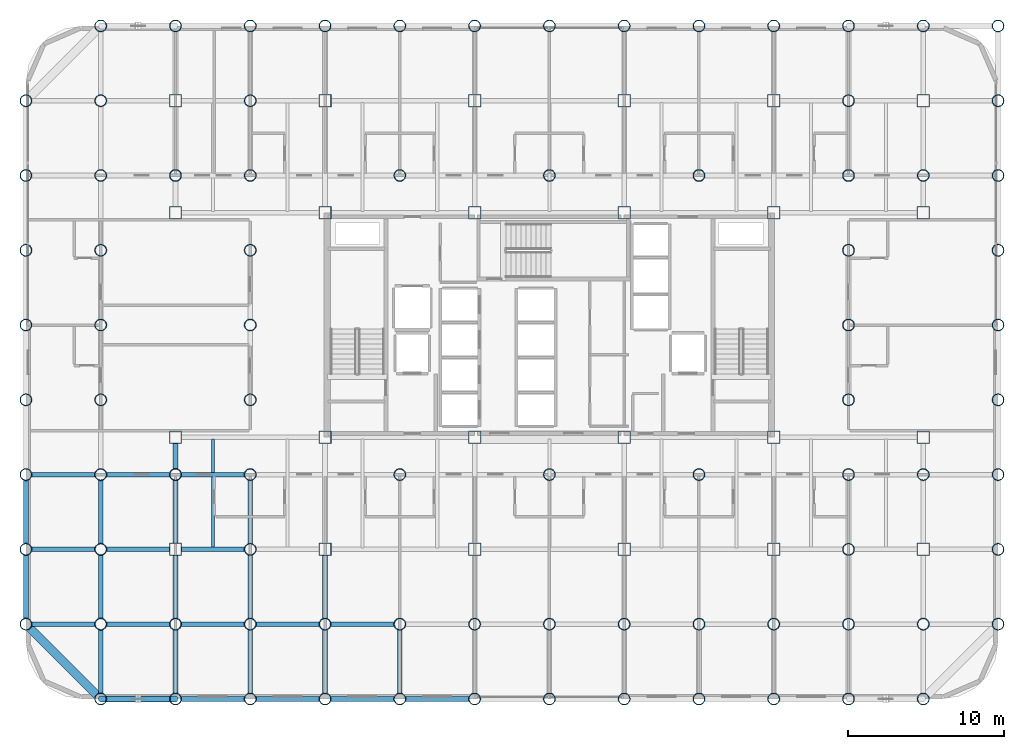
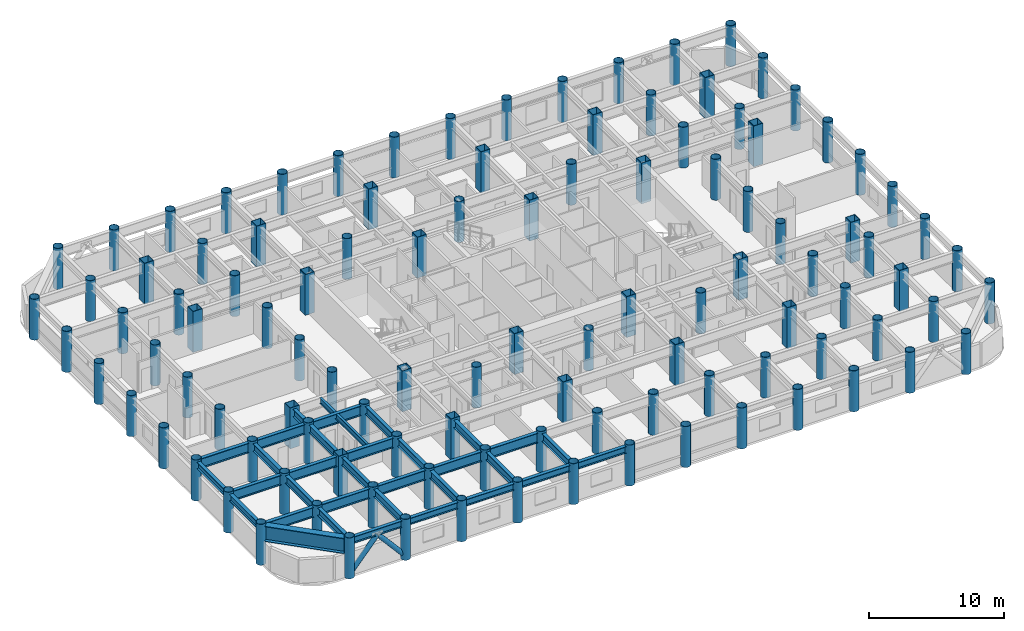
# One storey, part 1 of 22: 108 columns, 33 beams, 2 members.
"""IFC4 building model written with IfcOpenShell, lengths in metres."""

from ifc_helpers import new_model, si_unit, direction, frame, origin, origin_2d, place, context, subcontext, project, spatial, hollow_rectangle, hollow_circle, i_section, extrude, material, material_profile, profile_set, type_object, element, save


model = new_model("IFC4")

# Units and contexts
model_context = context("Model", 3, precision=1e-05, world=origin(), true_north=direction((0.0, 1.0)))
body_context = subcontext(model_context, "Body", "Model", "MODEL_VIEW")
ifc_project = project(units=[si_unit("LENGTHUNIT", "METRE"), si_unit("AREAUNIT", "SQUARE_METRE"), si_unit("VOLUMEUNIT", "CUBIC_METRE"), si_unit("PLANEANGLEUNIT", "RADIAN"), si_unit("MASSUNIT", "GRAM", prefix="KILO")], contexts=[model_context])

# Site, building, storey
site_placement = place(None, origin())
site = spatial("IfcSite", under=ifc_project, at=site_placement, CompositionType="ELEMENT")
building_placement = place(site_placement, origin())
building = spatial("IfcBuilding", under=site, at=building_placement, Name="Kallvorn Hotel Tower", CompositionType="ELEMENT")
storey_placement = place(building_placement, frame((0.0, 0.0, 37.39990234375)))
storey = spatial("IfcBuildingStorey", under=building, at=storey_placement, Name="L07", CompositionType="ELEMENT", Elevation=37.39990234375)

# Columns
ifc_material_1 = material(Name="Structural steel S355J2H", Category="steel")
ifc_material_profile_1 = material_profile(ifc_material_1, hollow_circle(Radius=0.381103515625, WallThickness=0.031982421875, at=origin_2d()), Name="CHS 762x32")
ifc_profile_set_1 = profile_set([ifc_material_profile_1], Name="Structural steel S355J2H")
column_type_1 = type_object("IfcColumnType", Name="COL_CHS_762", PredefinedType="COLUMN", material=ifc_profile_set_1)
for number, where, z_axis, x_axis, name in (
    (1, (-33.60009765625, -19.199951171875, 0.0), (0.0, 0.0, 1.0), (1.0, 0.0, 0.0), "L07 Exoskeleton Column EC01"),
    (2, (-33.60009765625, -14.39990234375, 0.0), (0.0, 0.0, 1.0), (1.0, 0.0, 0.0), "L07 Exoskeleton Column EC02"),
    (3, (-33.60009765625, -9.60009765625, 0.0), (0.0, 0.0, 1.0), (1.0, 0.0, 0.0), "L07 Exoskeleton Column EC03"),
    (4, (-33.60009765625, -4.800048828125, 0.0), (0.0, 0.0, 1.0), (1.0, 0.0, 0.0), "L07 Exoskeleton Column EC04"),
    (5, (-33.60009765625, 0.0, 0.0), (0.0, 0.0, 1.0), (1.0, 0.0, 0.0), "L07 Exoskeleton Column EC05"),
    (6, (-33.60009765625, 4.800048828125, 0.0), (0.0, 0.0, 1.0), (1.0, 0.0, 0.0), "L07 Exoskeleton Column EC06"),
    (7, (-33.60009765625, 9.60009765625, 0.0), (0.0, 0.0, 1.0), (1.0, 0.0, 0.0), "L07 Exoskeleton Column EC07"),
    (8, (-33.60009765625, 14.39990234375, 0.0), (0.0, 0.0, 1.0), (1.0, 0.0, 0.0), "L07 Exoskeleton Column EC08"),
    (9, (-28.800048828125, -24.0, 0.0), (0.0, 0.0, 1.0), (1.0, 0.0, 0.0), "L07 Exoskeleton Column EC09"),
    (10, (-28.800048828125, -19.199951171875, 0.0), (0.0, 0.0, 1.0), (1.0, 0.0, 0.0), "L07 Exoskeleton Column EC10"),
    (11, (-28.800048828125, -14.39990234375, 0.0), (0.0, 0.0, 1.0), (1.0, 0.0, 0.0), "L07 Exoskeleton Column EC11"),
    (12, (-28.800048828125, -9.60009765625, 0.0), (0.0, 0.0, 1.0), (1.0, 0.0, 0.0), "L07 Exoskeleton Column EC12"),
    (13, (-28.800048828125, -4.800048828125, 0.0), (0.0, 0.0, 1.0), (1.0, 0.0, 0.0), "L07 Exoskeleton Column EC13"),
    (14, (-28.800048828125, 0.0, 0.0), (0.0, 0.0, 1.0), (1.0, 0.0, 0.0), "L07 Exoskeleton Column EC14"),
    (15, (-28.800048828125, 4.800048828125, 0.0), (0.0, 0.0, 1.0), (1.0, 0.0, 0.0), "L07 Exoskeleton Column EC15"),
    (16, (-28.800048828125, 9.60009765625, 0.0), (0.0, 0.0, 1.0), (1.0, 0.0, 0.0), "L07 Exoskeleton Column EC16"),
    (17, (-28.800048828125, 14.39990234375, 0.0), (0.0, 0.0, 1.0), (1.0, 0.0, 0.0), "L07 Exoskeleton Column EC17"),
    (18, (-28.800048828125, 19.199951171875, 0.0), (0.0, 0.0, 1.0), (1.0, 0.0, 0.0), "L07 Exoskeleton Column EC18"),
    (19, (-24.0, -24.0, 0.0), (0.0, 0.0, 1.0), (1.0, 0.0, 0.0), "L07 Exoskeleton Column EC19"),
    (20, (-24.0, -19.199951171875, 0.0), (0.0, 0.0, 1.0), (1.0, 0.0, 0.0), "L07 Exoskeleton Column EC20"),
    (21, (-24.0, -9.60009765625, 0.0), (0.0, 0.0, 1.0), (1.0, 0.0, 0.0), "L07 Exoskeleton Column EC21"),
    (22, (-24.0, 9.60009765625, 0.0), (0.0, 0.0, 1.0), (1.0, 0.0, 0.0), "L07 Exoskeleton Column EC22"),
    (23, (-24.0, 19.199951171875, 0.0), (0.0, 0.0, 1.0), (1.0, 0.0, 0.0), "L07 Exoskeleton Column EC23"),
    (24, (-19.199951171875, -24.0, 0.0), (0.0, 0.0, 1.0), (1.0, 0.0, 0.0), "L07 Exoskeleton Column EC24"),
    (25, (-19.199951171875, -19.199951171875, 0.0), (0.0, 0.0, 1.0), (1.0, 0.0, 0.0), "L07 Exoskeleton Column EC25"),
    (26, (-19.199951171875, -14.39990234375, 0.0), (0.0, 0.0, 1.0), (1.0, 0.0, 0.0), "L07 Exoskeleton Column EC26"),
    (27, (-19.199951171875, -9.60009765625, 0.0), (0.0, 0.0, 1.0), (1.0, 0.0, 0.0), "L07 Exoskeleton Column EC27"),
    (28, (-19.199951171875, -4.800048828125, 0.0), (0.0, 0.0, 1.0), (1.0, 0.0, 0.0), "L07 Exoskeleton Column EC28"),
    (29, (-19.199951171875, 0.0, 0.0), (0.0, 0.0, 1.0), (1.0, 0.0, 0.0), "L07 Exoskeleton Column EC29"),
    (30, (-19.199951171875, 4.800048828125, 0.0), (0.0, 0.0, 1.0), (1.0, 0.0, 0.0), "L07 Exoskeleton Column EC30"),
    (31, (-19.199951171875, 9.60009765625, 0.0), (0.0, 0.0, 1.0), (1.0, 0.0, 0.0), "L07 Exoskeleton Column EC31"),
    (32, (-19.199951171875, 14.39990234375, 0.0), (0.0, 0.0, 1.0), (1.0, 0.0, 0.0), "L07 Exoskeleton Column EC32"),
    (33, (-19.199951171875, 19.199951171875, 0.0), (0.0, 0.0, 1.0), (1.0, 0.0, 0.0), "L07 Exoskeleton Column EC33"),
    (34, (-14.39990234375, -24.0, 0.0), (0.0, 0.0, 1.0), (1.0, 0.0, 0.0), "L07 Exoskeleton Column EC34"),
    (35, (-14.39990234375, -19.199951171875, 0.0), (0.0, 0.0, 1.0), (1.0, 0.0, 0.0), "L07 Exoskeleton Column EC35"),
    (36, (-14.39990234375, 19.199951171875, 0.0), (0.0, 0.0, 1.0), (1.0, 0.0, 0.0), "L07 Exoskeleton Column EC36"),
    (37, (-9.60009765625, -24.0, 0.0), (0.0, 0.0, 1.0), (1.0, 0.0, 0.0), "L07 Exoskeleton Column EC37"),
    (38, (-9.60009765625, -19.199951171875, 0.0), (0.0, 0.0, 1.0), (1.0, 0.0, 0.0), "L07 Exoskeleton Column EC38"),
    (39, (-9.60009765625, -9.60009765625, 0.0), (0.0, 0.0, 1.0), (1.0, 0.0, 0.0), "L07 Exoskeleton Column EC39"),
    (40, (-9.60009765625, 9.60009765625, 0.0), (0.0, 0.0, 1.0), (1.0, 0.0, 0.0), "L07 Exoskeleton Column EC40"),
    (41, (-9.60009765625, 19.199951171875, 0.0), (0.0, 0.0, 1.0), (1.0, 0.0, 0.0), "L07 Exoskeleton Column EC41"),
    (42, (-4.800048828125, -24.0, 0.0), (0.0, 0.0, 1.0), (1.0, 0.0, 0.0), "L07 Exoskeleton Column EC42"),
    (43, (-4.800048828125, -19.199951171875, 0.0), (0.0, 0.0, 1.0), (1.0, 0.0, 0.0), "L07 Exoskeleton Column EC43"),
    (44, (-4.800048828125, 19.199951171875, 0.0), (0.0, 0.0, 1.0), (1.0, 0.0, 0.0), "L07 Exoskeleton Column EC44"),
    (45, (0.0, -24.0, 0.0), (0.0, 0.0, 1.0), (1.0, 0.0, 0.0), "L07 Exoskeleton Column EC45"),
    (46, (0.0, -19.199951171875, 0.0), (0.0, 0.0, 1.0), (1.0, 0.0, 0.0), "L07 Exoskeleton Column EC46"),
    (47, (0.0, -9.60009765625, 0.0), (0.0, 0.0, 1.0), (1.0, 0.0, 0.0), "L07 Exoskeleton Column EC47"),
    (48, (0.0, 9.60009765625, 0.0), (0.0, 0.0, 1.0), (1.0, 0.0, 0.0), "L07 Exoskeleton Column EC48"),
    (49, (0.0, 19.199951171875, 0.0), (0.0, 0.0, 1.0), (1.0, 0.0, 0.0), "L07 Exoskeleton Column EC49"),
    (50, (4.800048828125, -24.0, 0.0), (0.0, 0.0, 1.0), (1.0, 0.0, 0.0), "L07 Exoskeleton Column EC50"),
    (51, (4.800048828125, -19.199951171875, 0.0), (0.0, 0.0, 1.0), (1.0, 0.0, 0.0), "L07 Exoskeleton Column EC51"),
    (52, (4.800048828125, 19.199951171875, 0.0), (0.0, 0.0, 1.0), (1.0, 0.0, 0.0), "L07 Exoskeleton Column EC52"),
    (53, (9.60009765625, -24.0, 0.0), (0.0, 0.0, 1.0), (1.0, 0.0, 0.0), "L07 Exoskeleton Column EC53"),
    (54, (9.60009765625, -19.199951171875, 0.0), (0.0, 0.0, 1.0), (1.0, 0.0, 0.0), "L07 Exoskeleton Column EC54"),
    (55, (9.60009765625, -9.60009765625, 0.0), (0.0, 0.0, 1.0), (1.0, 0.0, 0.0), "L07 Exoskeleton Column EC55"),
    (56, (9.60009765625, 9.60009765625, 0.0), (0.0, 0.0, 1.0), (1.0, 0.0, 0.0), "L07 Exoskeleton Column EC56"),
    (57, (9.60009765625, 19.199951171875, 0.0), (0.0, 0.0, 1.0), (1.0, 0.0, 0.0), "L07 Exoskeleton Column EC57"),
    (58, (14.39990234375, -24.0, 0.0), (0.0, 0.0, 1.0), (1.0, 0.0, 0.0), "L07 Exoskeleton Column EC58"),
    (59, (14.39990234375, -19.199951171875, 0.0), (0.0, 0.0, 1.0), (1.0, 0.0, 0.0), "L07 Exoskeleton Column EC59"),
    (60, (14.39990234375, 19.199951171875, 0.0), (0.0, 0.0, 1.0), (1.0, 0.0, 0.0), "L07 Exoskeleton Column EC60"),
    (61, (19.199951171875, -24.0, 0.0), (0.0, 0.0, 1.0), (1.0, 0.0, 0.0), "L07 Exoskeleton Column EC61"),
    (62, (19.199951171875, -19.199951171875, 0.0), (0.0, 0.0, 1.0), (1.0, 0.0, 0.0), "L07 Exoskeleton Column EC62"),
    (63, (19.199951171875, -14.39990234375, 0.0), (0.0, 0.0, 1.0), (1.0, 0.0, 0.0), "L07 Exoskeleton Column EC63"),
    (64, (19.199951171875, -9.60009765625, 0.0), (0.0, 0.0, 1.0), (1.0, 0.0, 0.0), "L07 Exoskeleton Column EC64"),
    (65, (19.199951171875, -4.800048828125, 0.0), (0.0, 0.0, 1.0), (1.0, 0.0, 0.0), "L07 Exoskeleton Column EC65"),
    (66, (19.199951171875, 0.0, 0.0), (0.0, 0.0, 1.0), (1.0, 0.0, 0.0), "L07 Exoskeleton Column EC66"),
    (67, (19.199951171875, 4.800048828125, 0.0), (0.0, 0.0, 1.0), (1.0, 0.0, 0.0), "L07 Exoskeleton Column EC67"),
    (68, (19.199951171875, 9.60009765625, 0.0), (0.0, 0.0, 1.0), (1.0, 0.0, 0.0), "L07 Exoskeleton Column EC68"),
    (69, (19.199951171875, 14.39990234375, 0.0), (0.0, 0.0, 1.0), (1.0, 0.0, 0.0), "L07 Exoskeleton Column EC69"),
    (70, (19.199951171875, 19.199951171875, 0.0), (0.0, 0.0, 1.0), (1.0, 0.0, 0.0), "L07 Exoskeleton Column EC70"),
    (71, (24.0, -24.0, 0.0), (0.0, 0.0, 1.0), (1.0, 0.0, 0.0), "L07 Exoskeleton Column EC71"),
    (72, (24.0, -19.199951171875, 0.0), (0.0, 0.0, 1.0), (1.0, 0.0, 0.0), "L07 Exoskeleton Column EC72"),
    (73, (24.0, -9.60009765625, 0.0), (0.0, 0.0, 1.0), (1.0, 0.0, 0.0), "L07 Exoskeleton Column EC73"),
    (74, (24.0, 9.60009765625, 0.0), (0.0, 0.0, 1.0), (1.0, 0.0, 0.0), "L07 Exoskeleton Column EC74"),
    (75, (24.0, 19.199951171875, 0.0), (0.0, 0.0, 1.0), (1.0, 0.0, 0.0), "L07 Exoskeleton Column EC75"),
    (76, (28.800048828125, -19.199951171875, 0.0), (0.0, 0.0, 1.0), (1.0, 0.0, 0.0), "L07 Exoskeleton Column EC76"),
    (77, (28.800048828125, -14.39990234375, 0.0), (0.0, 0.0, 1.0), (1.0, 0.0, 0.0), "L07 Exoskeleton Column EC77"),
    (78, (28.800048828125, -9.60009765625, 0.0), (0.0, 0.0, 1.0), (1.0, 0.0, 0.0), "L07 Exoskeleton Column EC78"),
    (79, (28.800048828125, -4.800048828125, 0.0), (0.0, 0.0, 1.0), (1.0, 0.0, 0.0), "L07 Exoskeleton Column EC79"),
    (80, (28.800048828125, 0.0, 0.0), (0.0, 0.0, 1.0), (1.0, 0.0, 0.0), "L07 Exoskeleton Column EC80"),
    (81, (28.800048828125, 4.800048828125, 0.0), (0.0, 0.0, 1.0), (1.0, 0.0, 0.0), "L07 Exoskeleton Column EC81"),
    (82, (28.800048828125, 9.60009765625, 0.0), (0.0, 0.0, 1.0), (1.0, 0.0, 0.0), "L07 Exoskeleton Column EC82"),
    (83, (28.800048828125, 14.39990234375, 0.0), (0.0, 0.0, 1.0), (1.0, 0.0, 0.0), "L07 Exoskeleton Column EC83"),
    (84, (28.800048828125, 19.199951171875, 0.0), (0.0, 0.0, 1.0), (1.0, 0.0, 0.0), "L07 Exoskeleton Column EC84"),
):
    element("IfcColumn", number, at=place(storey_placement, frame(where, z_axis=z_axis, x_axis=x_axis)), inside=storey, type_object=column_type_1, Name=name, PredefinedType="COLUMN", context=body_context, shape_type="SweptSolid", body=[
        extrude(hollow_circle(Radius=0.381103515625, WallThickness=0.031982421875, at=origin_2d()), origin(), (0.0, 0.0, 1.0), 3.7001953125),
    ])
ifc_material_2 = material(Name="Structural steel S355J2H", Category="steel")
ifc_material_profile_2 = material_profile(ifc_material_2, hollow_rectangle(XDim=0.800048828125, YDim=0.800048828125, WallThickness=0.035888671875, at=origin_2d()), Name="RHS 800x800x36")
ifc_profile_set_2 = profile_set([ifc_material_profile_2], Name="Structural steel S355J2H")
column_type_2 = type_object("IfcColumnType", Name="COL_RHS_800", PredefinedType="COLUMN", material=ifc_profile_set_2)
for number, where, z_axis, x_axis, name in (
    (85, (-24.0, -14.39990234375, 0.0), (0.0, 0.0, 1.0), (1.0, 0.0, 0.0), "L07 Inner Column IC01"),
    (86, (-24.0, -7.199951171875, 0.0), (0.0, 0.0, 1.0), (1.0, 0.0, 0.0), "L07 Inner Column IC02"),
    (87, (-24.0, 7.199951171875, 0.0), (0.0, 0.0, 1.0), (1.0, 0.0, 0.0), "L07 Inner Column IC03"),
    (88, (-24.0, 14.39990234375, 0.0), (0.0, 0.0, 1.0), (1.0, 0.0, 0.0), "L07 Inner Column IC04"),
    (89, (-14.39990234375, -14.39990234375, 0.0), (0.0, 0.0, 1.0), (1.0, 0.0, 0.0), "L07 Inner Column IC05"),
    (90, (-14.39990234375, -7.199951171875, 0.0), (0.0, 0.0, 1.0), (1.0, 0.0, 0.0), "L07 Inner Column IC06"),
    (91, (-14.39990234375, 7.199951171875, 0.0), (0.0, 0.0, 1.0), (1.0, 0.0, 0.0), "L07 Inner Column IC07"),
    (92, (-14.39990234375, 14.39990234375, 0.0), (0.0, 0.0, 1.0), (1.0, 0.0, 0.0), "L07 Inner Column IC08"),
    (93, (-4.800048828125, -14.39990234375, 0.0), (0.0, 0.0, 1.0), (1.0, 0.0, 0.0), "L07 Inner Column IC09"),
    (94, (-4.800048828125, -7.199951171875, 0.0), (0.0, 0.0, 1.0), (1.0, 0.0, 0.0), "L07 Inner Column IC10"),
    (95, (-4.800048828125, 7.199951171875, 0.0), (0.0, 0.0, 1.0), (1.0, 0.0, 0.0), "L07 Inner Column IC11"),
    (96, (-4.800048828125, 14.39990234375, 0.0), (0.0, 0.0, 1.0), (1.0, 0.0, 0.0), "L07 Inner Column IC12"),
    (97, (4.800048828125, -14.39990234375, 0.0), (0.0, 0.0, 1.0), (1.0, 0.0, 0.0), "L07 Inner Column IC13"),
    (98, (4.800048828125, -7.199951171875, 0.0), (0.0, 0.0, 1.0), (1.0, 0.0, 0.0), "L07 Inner Column IC14"),
    (99, (4.800048828125, 7.199951171875, 0.0), (0.0, 0.0, 1.0), (1.0, 0.0, 0.0), "L07 Inner Column IC15"),
    (100, (4.800048828125, 14.39990234375, 0.0), (0.0, 0.0, 1.0), (1.0, 0.0, 0.0), "L07 Inner Column IC16"),
    (101, (14.39990234375, -14.39990234375, 0.0), (0.0, 0.0, 1.0), (1.0, 0.0, 0.0), "L07 Inner Column IC17"),
    (102, (14.39990234375, -7.199951171875, 0.0), (0.0, 0.0, 1.0), (1.0, 0.0, 0.0), "L07 Inner Column IC18"),
    (103, (14.39990234375, 7.199951171875, 0.0), (0.0, 0.0, 1.0), (1.0, 0.0, 0.0), "L07 Inner Column IC19"),
    (104, (14.39990234375, 14.39990234375, 0.0), (0.0, 0.0, 1.0), (1.0, 0.0, 0.0), "L07 Inner Column IC20"),
    (105, (24.0, -14.39990234375, 0.0), (0.0, 0.0, 1.0), (1.0, 0.0, 0.0), "L07 Inner Column IC21"),
    (106, (24.0, -7.199951171875, 0.0), (0.0, 0.0, 1.0), (1.0, 0.0, 0.0), "L07 Inner Column IC22"),
    (107, (24.0, 7.199951171875, 0.0), (0.0, 0.0, 1.0), (1.0, 0.0, 0.0), "L07 Inner Column IC23"),
    (108, (24.0, 14.39990234375, 0.0), (0.0, 0.0, 1.0), (1.0, 0.0, 0.0), "L07 Inner Column IC24"),
):
    element("IfcColumn", number, at=place(storey_placement, frame(where, z_axis=z_axis, x_axis=x_axis)), inside=storey, type_object=column_type_2, Name=name, PredefinedType="COLUMN", context=body_context, shape_type="SweptSolid", body=[
        extrude(hollow_rectangle(XDim=0.800048828125, YDim=0.800048828125, WallThickness=0.035888671875, at=origin_2d()), origin(), (0.0, 0.0, 1.0), 3.7001953125),
    ])

# Beams
ifc_material_3 = material(Name="Structural steel S355JR", Category="steel")
ifc_material_profile_3 = material_profile(ifc_material_3, i_section(OverallWidth=0.300048828125, OverallDepth=0.60009765625, WebThickness=0.015380859375, FlangeThickness=0.030029296875, at=origin_2d()), Name="HE 600 B")
ifc_profile_set_3 = profile_set([ifc_material_profile_3], Name="Structural steel S355JR")
beam_type_1 = type_object("IfcBeamType", Name="BM_HE600B", PredefinedType="SPANDREL", material=ifc_profile_set_3)
for number, where, z_axis, x_axis, name in (
    (109, (-28.428955078125, -24.0, 3.22021484375), (1.0, 0.0, 0.0), (0.0, 1.0, 0.0), "L08 Perimeter Spandrel 151"),
    (110, (-23.62890625, -24.0, 3.22021484375), (1.0, 0.0, 0.0), (0.0, 1.0, 0.0), "L08 Perimeter Spandrel 152"),
):
    element("IfcBeam", number, at=place(storey_placement, frame(where, z_axis=z_axis, x_axis=x_axis)), inside=storey, type_object=beam_type_1, Name=name, PredefinedType="SPANDREL", context=body_context, shape_type="SweptSolid", body=[
        extrude(i_section(OverallWidth=0.300048828125, OverallDepth=0.60009765625, WebThickness=0.015380859375, FlangeThickness=0.030029296875, at=origin_2d()), origin(), (0.0, 0.0, 1.0), 4.057861328125),
    ])
for number, where, z_axis, x_axis, name in (
    (111, (-18.8291015625, -24.0, 3.22021484375), (1.0, 0.0, 0.0), (0.0, 1.0, 0.0), "L08 Perimeter Spandrel 153"),
    (112, (-14.029052734375, -24.0, 3.22021484375), (1.0, 0.0, 0.0), (0.0, 1.0, 0.0), "L08 Perimeter Spandrel 154"),
    (113, (-9.22900390625, -24.0, 3.22021484375), (1.0, 0.0, 0.0), (0.0, 1.0, 0.0), "L08 Perimeter Spandrel 155"),
    (114, (-33.60009765625, -18.8291015625, 3.22021484375), (0.0, 1.0, 0.0), (-1.0, 0.0, 0.0), "L08 Perimeter Spandrel 174"),
    (115, (-33.60009765625, -14.029052734375, 3.22021484375), (0.0, 1.0, 0.0), (-1.0, 0.0, 0.0), "L08 Perimeter Spandrel 175"),
):
    element("IfcBeam", number, at=place(storey_placement, frame(where, z_axis=z_axis, x_axis=x_axis)), inside=storey, type_object=beam_type_1, Name=name, PredefinedType="SPANDREL", context=body_context, shape_type="SweptSolid", body=[
        extrude(i_section(OverallWidth=0.300048828125, OverallDepth=0.60009765625, WebThickness=0.015380859375, FlangeThickness=0.030029296875, at=origin_2d()), origin(), (0.0, 0.0, 1.0), 4.05810546875),
    ])
ifc_material_4 = material(Name="Structural steel S355JR", Category="steel")
ifc_material_profile_4 = material_profile(ifc_material_4, i_section(OverallWidth=0.300048828125, OverallDepth=0.699951171875, WebThickness=0.01708984375, FlangeThickness=0.031982421875, at=origin_2d()), Name="HE 700 B")
ifc_profile_set_4 = profile_set([ifc_material_profile_4], Name="Structural steel S355JR")
beam_type_2 = type_object("IfcBeamType", Name="BM_HE700B", PredefinedType="BEAM", material=ifc_profile_set_4)
beam_1_placement = place(storey_placement, frame((-28.800048828125, -23.64404296875, 3.170166015625), z_axis=(0.0, 1.0, 0.0), x_axis=(-1.0, 0.0, 0.0)))
element("IfcBeam", 116, at=beam_1_placement, inside=storey, type_object=beam_type_2, Name="L08 Primary Y-Girder 73", PredefinedType="BEAM", context=body_context, shape_type="SweptSolid", body=[
    extrude(i_section(OverallWidth=0.300048828125, OverallDepth=0.699951171875, WebThickness=0.01708984375, FlangeThickness=0.031982421875, at=origin_2d()), origin(), (0.0, 0.0, 1.0), 4.088134765625),
])
for number, where, z_axis, x_axis, name in (
    (117, (-28.800048828125, -18.843994140625, 3.170166015625), (0.0, 1.0, 0.0), (-1.0, 0.0, 0.0), "L08 Primary Y-Girder 74"),
    (118, (-28.800048828125, -14.0439453125, 3.170166015625), (0.0, 1.0, 0.0), (-1.0, 0.0, 0.0), "L08 Primary Y-Girder 75"),
):
    element("IfcBeam", number, at=place(storey_placement, frame(where, z_axis=z_axis, x_axis=x_axis)), inside=storey, type_object=beam_type_2, Name=name, PredefinedType="BEAM", context=body_context, shape_type="SweptSolid", body=[
        extrude(i_section(OverallWidth=0.300048828125, OverallDepth=0.699951171875, WebThickness=0.01708984375, FlangeThickness=0.031982421875, at=origin_2d()), origin(), (0.0, 0.0, 1.0), 4.087890625),
    ])
beam_2_placement = place(storey_placement, frame((-24.0, -23.64404296875, 3.170166015625), z_axis=(0.0, 1.0, 0.0), x_axis=(-1.0, 0.0, 0.0)))
element("IfcBeam", 119, at=beam_2_placement, inside=storey, type_object=beam_type_2, Name="L08 Primary Y-Girder 82", PredefinedType="BEAM", context=body_context, shape_type="SweptSolid", body=[
    extrude(i_section(OverallWidth=0.300048828125, OverallDepth=0.699951171875, WebThickness=0.01708984375, FlangeThickness=0.031982421875, at=origin_2d()), origin(), (0.0, 0.0, 1.0), 4.088134765625),
])
beam_3_placement = place(storey_placement, frame((-24.0, -18.843994140625, 3.170166015625), z_axis=(0.0, 1.0, 0.0), x_axis=(-1.0, 0.0, 0.0)))
element("IfcBeam", 120, at=beam_3_placement, inside=storey, type_object=beam_type_2, Name="L08 Primary Y-Girder 83", PredefinedType="BEAM", context=body_context, shape_type="SweptSolid", body=[
    extrude(i_section(OverallWidth=0.300048828125, OverallDepth=0.699951171875, WebThickness=0.01708984375, FlangeThickness=0.031982421875, at=origin_2d()), origin(), (0.0, 0.0, 1.0), 4.069091796875),
])
beam_4_placement = place(storey_placement, frame((-24.0, -14.02490234375, 3.170166015625), z_axis=(0.0, 1.0, 0.0), x_axis=(-1.0, 0.0, 0.0)))
element("IfcBeam", 121, at=beam_4_placement, inside=storey, type_object=beam_type_2, Name="L08 Primary Y-Girder 84", PredefinedType="BEAM", context=body_context, shape_type="SweptSolid", body=[
    extrude(i_section(OverallWidth=0.300048828125, OverallDepth=0.699951171875, WebThickness=0.01708984375, FlangeThickness=0.031982421875, at=origin_2d()), origin(), (0.0, 0.0, 1.0), 4.06884765625),
])
beam_5_placement = place(storey_placement, frame((-24.0, -9.243896484375, 3.170166015625), z_axis=(0.0, 1.0, 0.0), x_axis=(-1.0, 0.0, 0.0)))
element("IfcBeam", 122, at=beam_5_placement, inside=storey, type_object=beam_type_2, Name="L08 Primary Y-Girder 85", PredefinedType="BEAM", context=body_context, shape_type="SweptSolid", body=[
    extrude(i_section(OverallWidth=0.300048828125, OverallDepth=0.699951171875, WebThickness=0.01708984375, FlangeThickness=0.031982421875, at=origin_2d()), origin(), (0.0, 0.0, 1.0), 1.6689453125),
])
beam_6_placement = place(storey_placement, frame((-19.199951171875, -23.64404296875, 3.170166015625), z_axis=(0.0, 1.0, 0.0), x_axis=(-1.0, 0.0, 0.0)))
element("IfcBeam", 123, at=beam_6_placement, inside=storey, type_object=beam_type_2, Name="L08 Primary Y-Girder 89", PredefinedType="BEAM", context=body_context, shape_type="SweptSolid", body=[
    extrude(i_section(OverallWidth=0.300048828125, OverallDepth=0.699951171875, WebThickness=0.01708984375, FlangeThickness=0.031982421875, at=origin_2d()), origin(), (0.0, 0.0, 1.0), 4.088134765625),
])
for number, where, z_axis, x_axis, name in (
    (124, (-19.199951171875, -18.843994140625, 3.170166015625), (0.0, 1.0, 0.0), (-1.0, 0.0, 0.0), "L08 Primary Y-Girder 90"),
    (125, (-19.199951171875, -14.0439453125, 3.170166015625), (0.0, 1.0, 0.0), (-1.0, 0.0, 0.0), "L08 Primary Y-Girder 91"),
):
    element("IfcBeam", number, at=place(storey_placement, frame(where, z_axis=z_axis, x_axis=x_axis)), inside=storey, type_object=beam_type_2, Name=name, PredefinedType="BEAM", context=body_context, shape_type="SweptSolid", body=[
        extrude(i_section(OverallWidth=0.300048828125, OverallDepth=0.699951171875, WebThickness=0.01708984375, FlangeThickness=0.031982421875, at=origin_2d()), origin(), (0.0, 0.0, 1.0), 4.087890625),
    ])
beam_7_placement = place(storey_placement, frame((-14.39990234375, -23.64404296875, 3.170166015625), z_axis=(0.0, 1.0, 0.0), x_axis=(-1.0, 0.0, 0.0)))
element("IfcBeam", 126, at=beam_7_placement, inside=storey, type_object=beam_type_2, Name="L08 Primary Y-Girder 98", PredefinedType="BEAM", context=body_context, shape_type="SweptSolid", body=[
    extrude(i_section(OverallWidth=0.300048828125, OverallDepth=0.699951171875, WebThickness=0.01708984375, FlangeThickness=0.031982421875, at=origin_2d()), origin(), (0.0, 0.0, 1.0), 4.088134765625),
])
beam_8_placement = place(storey_placement, frame((-14.39990234375, -18.843994140625, 3.170166015625), z_axis=(0.0, 1.0, 0.0), x_axis=(-1.0, 0.0, 0.0)))
element("IfcBeam", 127, at=beam_8_placement, inside=storey, type_object=beam_type_2, Name="L08 Primary Y-Girder 99", PredefinedType="BEAM", context=body_context, shape_type="SweptSolid", body=[
    extrude(i_section(OverallWidth=0.300048828125, OverallDepth=0.699951171875, WebThickness=0.01708984375, FlangeThickness=0.031982421875, at=origin_2d()), origin(), (0.0, 0.0, 1.0), 4.069091796875),
])
beam_9_placement = place(storey_placement, frame((-9.60009765625, -23.64404296875, 3.170166015625), z_axis=(0.0, 1.0, 0.0), x_axis=(-1.0, 0.0, 0.0)))
element("IfcBeam", 128, at=beam_9_placement, inside=storey, type_object=beam_type_2, Name="L08 Primary Y-Girder 103", PredefinedType="BEAM", context=body_context, shape_type="SweptSolid", body=[
    extrude(i_section(OverallWidth=0.300048828125, OverallDepth=0.699951171875, WebThickness=0.01708984375, FlangeThickness=0.031982421875, at=origin_2d()), origin(), (0.0, 0.0, 1.0), 4.088134765625),
])
ifc_material_5 = material(Name="Structural steel S355JR", Category="steel")
ifc_material_profile_5 = material_profile(ifc_material_5, i_section(OverallWidth=0.300048828125, OverallDepth=0.89990234375, WebThickness=0.0185546875, FlangeThickness=0.034912109375, at=origin_2d()), Name="HE 900 B")
ifc_profile_set_5 = profile_set([ifc_material_profile_5], Name="Structural steel S355JR")
beam_type_3 = type_object("IfcBeamType", Name="BM_HE900B", PredefinedType="BEAM", material=ifc_profile_set_5)
beam_10_placement = place(storey_placement, frame((-33.243896484375, -19.199951171875, 3.070068359375), z_axis=(1.0, 0.0, 0.0), x_axis=(0.0, 1.0, 0.0)))
element("IfcBeam", 129, at=beam_10_placement, inside=storey, type_object=beam_type_3, Name="L08 Primary X-Girder 01", PredefinedType="BEAM", context=body_context, shape_type="SweptSolid", body=[
    extrude(i_section(OverallWidth=0.300048828125, OverallDepth=0.89990234375, WebThickness=0.0185546875, FlangeThickness=0.034912109375, at=origin_2d()), origin(), (0.0, 0.0, 1.0), 4.087890625),
])
for number, where, z_axis, x_axis, name in (
    (130, (-28.444091796875, -19.199951171875, 3.070068359375), (1.0, 0.0, 0.0), (0.0, 1.0, 0.0), "L08 Primary X-Girder 02"),
    (131, (-23.64404296875, -19.199951171875, 3.070068359375), (1.0, 0.0, 0.0), (0.0, 1.0, 0.0), "L08 Primary X-Girder 03"),
):
    element("IfcBeam", number, at=place(storey_placement, frame(where, z_axis=z_axis, x_axis=x_axis)), inside=storey, type_object=beam_type_3, Name=name, PredefinedType="BEAM", context=body_context, shape_type="SweptSolid", body=[
        extrude(i_section(OverallWidth=0.300048828125, OverallDepth=0.89990234375, WebThickness=0.0185546875, FlangeThickness=0.034912109375, at=origin_2d()), origin(), (0.0, 0.0, 1.0), 4.088134765625),
    ])
for number, where, z_axis, x_axis, name in (
    (132, (-18.843994140625, -19.199951171875, 3.070068359375), (1.0, 0.0, 0.0), (0.0, 1.0, 0.0), "L08 Primary X-Girder 04"),
    (133, (-14.0439453125, -19.199951171875, 3.070068359375), (1.0, 0.0, 0.0), (0.0, 1.0, 0.0), "L08 Primary X-Girder 05"),
    (134, (-33.243896484375, -14.39990234375, 3.070068359375), (1.0, 0.0, 0.0), (0.0, 1.0, 0.0), "L08 Primary X-Girder 14"),
):
    element("IfcBeam", number, at=place(storey_placement, frame(where, z_axis=z_axis, x_axis=x_axis)), inside=storey, type_object=beam_type_3, Name=name, PredefinedType="BEAM", context=body_context, shape_type="SweptSolid", body=[
        extrude(i_section(OverallWidth=0.300048828125, OverallDepth=0.89990234375, WebThickness=0.0185546875, FlangeThickness=0.034912109375, at=origin_2d()), origin(), (0.0, 0.0, 1.0), 4.087890625),
    ])
for number, where, z_axis, x_axis, name in (
    (135, (-28.444091796875, -14.39990234375, 3.070068359375), (1.0, 0.0, 0.0), (0.0, 1.0, 0.0), "L08 Primary X-Girder 15"),
    (136, (-23.625, -14.39990234375, 3.070068359375), (1.0, 0.0, 0.0), (0.0, 1.0, 0.0), "L08 Primary X-Girder 16"),
):
    element("IfcBeam", number, at=place(storey_placement, frame(where, z_axis=z_axis, x_axis=x_axis)), inside=storey, type_object=beam_type_3, Name=name, PredefinedType="BEAM", context=body_context, shape_type="SweptSolid", body=[
        extrude(i_section(OverallWidth=0.300048828125, OverallDepth=0.89990234375, WebThickness=0.0185546875, FlangeThickness=0.034912109375, at=origin_2d()), origin(), (0.0, 0.0, 1.0), 4.069091796875),
    ])
beam_11_placement = place(storey_placement, frame((-33.243896484375, -9.60009765625, 3.070068359375), z_axis=(1.0, 0.0, 0.0), x_axis=(0.0, 1.0, 0.0)))
element("IfcBeam", 137, at=beam_11_placement, inside=storey, type_object=beam_type_3, Name="L08 Primary X-Girder 24", PredefinedType="BEAM", context=body_context, shape_type="SweptSolid", body=[
    extrude(i_section(OverallWidth=0.300048828125, OverallDepth=0.89990234375, WebThickness=0.0185546875, FlangeThickness=0.034912109375, at=origin_2d()), origin(), (0.0, 0.0, 1.0), 4.087890625),
])
for number, where, z_axis, x_axis, name in (
    (138, (-28.444091796875, -9.60009765625, 3.070068359375), (1.0, 0.0, 0.0), (0.0, 1.0, 0.0), "L08 Primary X-Girder 25"),
    (139, (-23.64404296875, -9.60009765625, 3.070068359375), (1.0, 0.0, 0.0), (0.0, 1.0, 0.0), "L08 Primary X-Girder 26"),
):
    element("IfcBeam", number, at=place(storey_placement, frame(where, z_axis=z_axis, x_axis=x_axis)), inside=storey, type_object=beam_type_3, Name=name, PredefinedType="BEAM", context=body_context, shape_type="SweptSolid", body=[
        extrude(i_section(OverallWidth=0.300048828125, OverallDepth=0.89990234375, WebThickness=0.0185546875, FlangeThickness=0.034912109375, at=origin_2d()), origin(), (0.0, 0.0, 1.0), 4.088134765625),
    ])
ifc_material_6 = material(Name="Structural steel S355JR", Category="steel")
ifc_material_profile_6 = material_profile(ifc_material_6, i_section(OverallWidth=0.199951171875, OverallDepth=0.5, WebThickness=0.01025390625, FlangeThickness=0.01611328125, at=origin_2d()), Name="IPE 500")
ifc_profile_set_6 = profile_set([ifc_material_profile_6], Name="Structural steel S355JR")
beam_type_4 = type_object("IfcBeamType", Name="BM_IPE500", PredefinedType="JOIST", material=ifc_profile_set_6)
beam_12_placement = place(storey_placement, frame((-21.60009765625, -14.300048828125, 3.27001953125), z_axis=(0.0, 1.0, 0.0), x_axis=(-1.0, 0.0, 0.0)))
element("IfcBeam", 140, at=beam_12_placement, inside=storey, type_object=beam_type_4, Name="L08 Secondary Composite Joist 192", PredefinedType="JOIST", context=body_context, shape_type="SweptSolid", body=[
    extrude(i_section(OverallWidth=0.199951171875, OverallDepth=0.5, WebThickness=0.01025390625, FlangeThickness=0.01611328125, at=origin_2d()), origin(), (0.0, 0.0, 1.0), 7.0),
])
ifc_material_7 = material(Name="Structural steel S355JR", Category="steel")
ifc_material_profile_7 = material_profile(ifc_material_7, i_section(OverallWidth=0.550048828125, OverallDepth=1.39990234375, WebThickness=0.02490234375, FlangeThickness=0.044921875, at=origin_2d()), Name="PG 1400x550x25x45")
ifc_profile_set_7 = profile_set([ifc_material_profile_7], Name="Structural steel S355JR")
beam_type_5 = type_object("IfcBeamType", Name="BM_PG_1400", PredefinedType="BEAM", material=ifc_profile_set_7)
beam_13_placement = place(storey_placement, frame((-33.337646484375, -19.46240234375, 2.820068359375), z_axis=(0.707106781187, -0.707106781187, 0.0), x_axis=(0.707106781187, 0.707106781187, 0.0)))
element("IfcBeam", 141, at=beam_13_placement, inside=storey, type_object=beam_type_5, Name="L08 Rounded Corner Tie Beam 189", PredefinedType="BEAM", context=body_context, shape_type="SweptSolid", body=[
    extrude(i_section(OverallWidth=0.550048828125, OverallDepth=1.39990234375, WebThickness=0.02490234375, FlangeThickness=0.044921875, at=origin_2d()), origin(), (0.0, 0.0, 1.0), 6.04638671875),
])

# Members
ifc_material_8 = material(Name="Structural steel S355J2H", Category="steel")
ifc_material_profile_8 = material_profile(ifc_material_8, hollow_circle(Radius=0.203125, WallThickness=0.01611328125, at=origin_2d()), Name="CHS 406.4x16")
ifc_profile_set_8 = profile_set([ifc_material_profile_8], Name="Structural steel S355J2H")
member_type = type_object("IfcMemberType", Name="MBR_EXO_CHS406", PredefinedType="BRACE", material=ifc_profile_set_8)
for number, where, z_axis, x_axis, name in (
    (142, (-28.786865234375, -24.0, 0.1953125), (0.65346062529, 0.0, 0.756960508346), (0.0, 1.0, 0.0), "L07 Exoskeleton K-Brace S1A"),
    (143, (-24.01318359375, -24.0, 0.1953125), (-0.65346062529, 0.0, 0.756960508346), (0.0, -1.0, 0.0), "L07 Exoskeleton K-Brace S1B"),
):
    element("IfcMember", number, at=place(storey_placement, frame(where, z_axis=z_axis, x_axis=x_axis)), inside=storey, type_object=member_type, Name=name, PredefinedType="BRACE", context=body_context, shape_type="SweptSolid", body=[
        extrude(hollow_circle(Radius=0.203125, WallThickness=0.01611328125, at=origin_2d()), origin(), (0.0, 0.0, 1.0), 3.632568359375),
    ])

save(model, "model.ifc")
